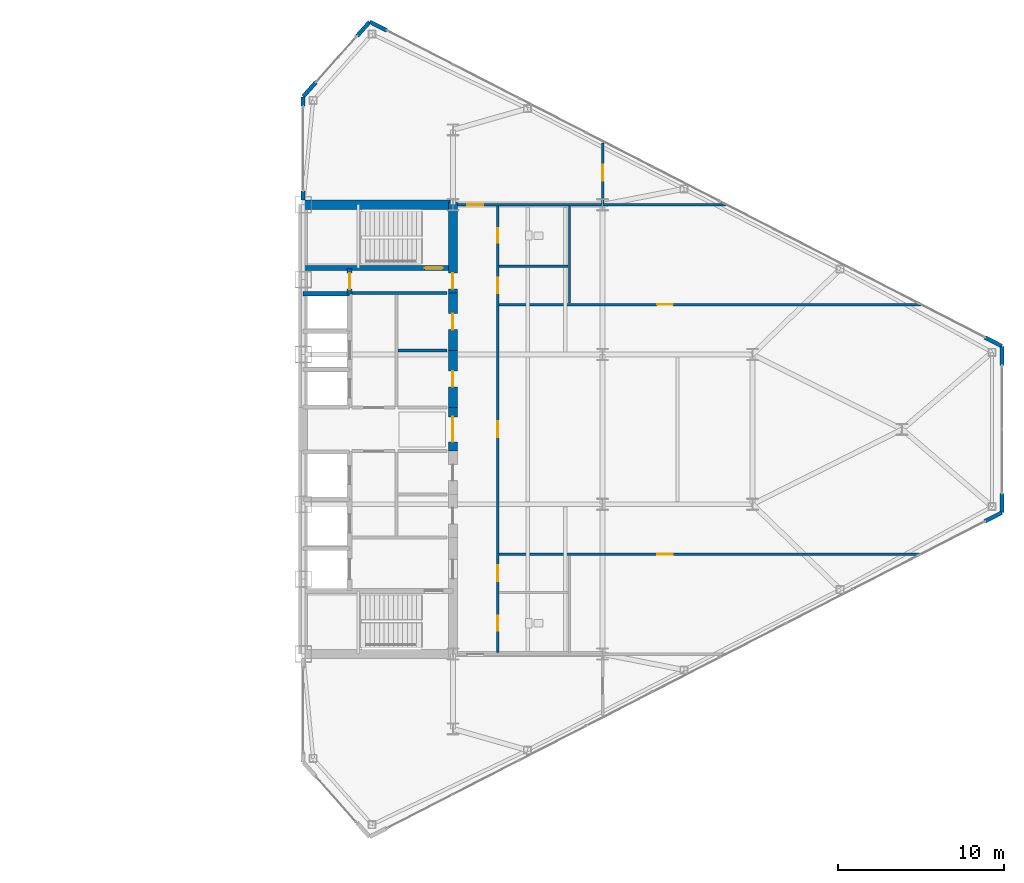
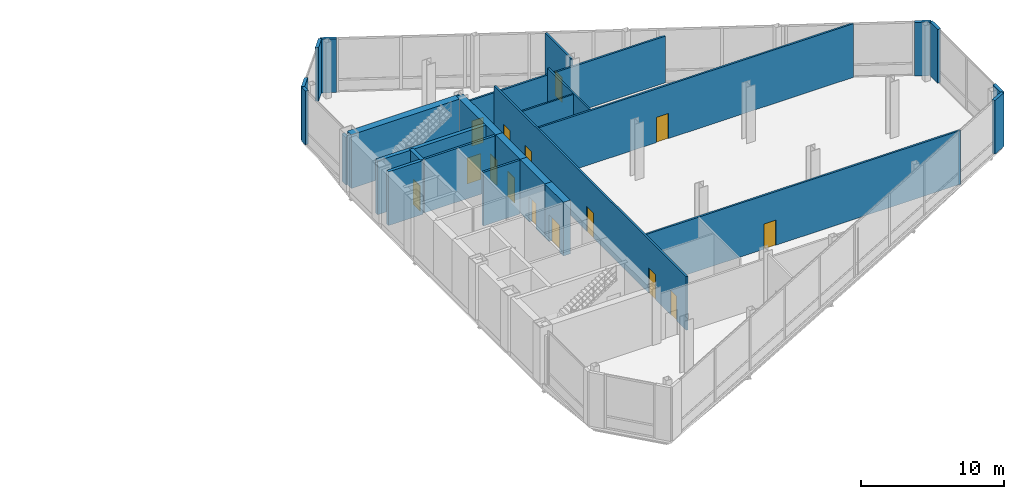
# One storey, part 19 of 22: 26 walls, 15 doors, 15 openings.
"""IFC4 building model written with IfcOpenShell, lengths in metres."""

from ifc_helpers import new_model, si_unit, direction, frame, frame_2d, origin, place, context, subcontext, project, spatial, rectangle, extrude, source, transform, mapped, material, layer, layer_set, type_object, type_shapes, element, fill, save


model = new_model("IFC4")

# Units and contexts
model_context = context("Model", 3, precision=1e-05, world=origin(), true_north=direction((0.0, 1.0)))
body_context = subcontext(model_context, "Body", "Model", "MODEL_VIEW")
ifc_project = project(units=[si_unit("LENGTHUNIT", "METRE"), si_unit("AREAUNIT", "SQUARE_METRE"), si_unit("VOLUMEUNIT", "CUBIC_METRE"), si_unit("PLANEANGLEUNIT", "RADIAN"), si_unit("MASSUNIT", "GRAM", prefix="KILO")], contexts=[model_context])

# Site, building, storey
site_placement = place(None, origin())
site = spatial("IfcSite", under=ifc_project, at=site_placement, CompositionType="ELEMENT")
building_placement = place(site_placement, origin())
building = spatial("IfcBuilding", under=site, at=building_placement, Name="Seokmaru Belvedere", CompositionType="ELEMENT")
storey_placement = place(building_placement, frame((0.0, 0.0, 135.60009765625)))
storey = spatial("IfcBuildingStorey", under=building, at=storey_placement, Name="L36", CompositionType="ELEMENT", Elevation=135.60009765625)

# Wall, opening, door
ifc_material_1 = material(Name="Fire-Rated Gypsum Shaftwall")
ifc_layer_1 = layer(ifc_material_1, 0.14990234375)
ifc_layer_set_1 = layer_set([ifc_layer_1], Name="Fire-Rated Gypsum Shaftwall")
wall_type_1 = type_object("IfcWallType", Name="Apartment Fire-Acoustic Room Partition 150", PredefinedType="PARTITIONING", material=ifc_layer_set_1)
wall_1_placement = place(storey_placement, frame((39.284912109375, -7.5, 0.0), z_axis=(0.0, 0.0, 1.0), x_axis=(1.0, 0.0, 0.0)))
wall_1 = element("IfcWall", 1, at=wall_1_placement, inside=storey, type_object=wall_type_1, Name="L36 Interior Partition 006", PredefinedType="PARTITIONING", context=body_context, shape_type="SweptSolid", body=[
    extrude(rectangle(XDim=25.35400390625, YDim=0.14990234375, at=frame_2d((12.677001953125, 0.0))), origin(), (0.0, 0.0, 1.0), 4.579833984375),
])
opening_1_placement = place(wall_1_placement, frame((9.489990234375, 0.0, 0.0)))
opening_1 = element("IfcOpeningElement", 2, at=opening_1_placement, cuts=wall_1, Name="Opening D05", PredefinedType="OPENING", context=body_context, shape_type="SweptSolid", body=[
    extrude(rectangle(XDim=0.949951171875, YDim=2.14990234375, at=frame_2d((0.47509765625, 1.074951171875))), frame((0.0, 0.0849609375, 0.0), z_axis=(0.0, -1.0, 0.0), x_axis=(1.0, 0.0, 0.0)), (0.0, 0.0, 1.0), 0.169921875),
])
ifc_material_2 = material(Name="Engineered White Oak Timber", Category="wood")
door_type_1 = type_object("IfcDoorType", Name="Apartment Interior Fire-Rated Oak Door 950x2150", OperationType="NOTDEFINED", PredefinedType="DOOR", material=ifc_material_2)
shared_shape_1 = source(origin(), body_context, "Body", "SweptSolid", [
    extrude(rectangle(XDim=0.949951171875, YDim=2.14990234375, at=frame_2d((0.47509765625, 1.074951171875))), frame((0.0, 0.02490234375, 0.0), z_axis=(0.0, -1.0, 0.0), x_axis=(1.0, 0.0, 0.0)), (0.0, 0.0, 1.0), 0.050048828125),
])
type_shapes(door_type_1, [shared_shape_1])
door_1_placement = place(opening_1_placement, origin())
door_1 = element("IfcDoor", 3, at=door_1_placement, inside=storey, type_object=door_type_1, Name="L36 Interior Door 021", OperationType="SINGLE_SWING_RIGHT", OverallHeight=2.14990234375, OverallWidth=0.949951171875, PredefinedType="DOOR", context=body_context, shape_type="MappedRepresentation", body=[
    mapped(shared_shape_1, transform((0.0, 0.0, 0.0), scale=1.0)),
])
fill(opening_1, door_1)

wall_2_placement = place(storey_placement, frame((39.284912109375, 7.5, 0.0), z_axis=(0.0, 0.0, 1.0), x_axis=(1.0, 0.0, 0.0)))
wall_2 = element("IfcWall", 4, at=wall_2_placement, inside=storey, type_object=wall_type_1, Name="L36 Interior Partition 008", PredefinedType="PARTITIONING", context=body_context, shape_type="SweptSolid", body=[
    extrude(rectangle(XDim=25.35400390625, YDim=0.14990234375, at=frame_2d((12.677001953125, 0.0))), origin(), (0.0, 0.0, 1.0), 4.579833984375),
])
opening_2_placement = place(wall_2_placement, frame((9.489990234375, 0.0, 0.0)))
opening_2 = element("IfcOpeningElement", 5, at=opening_2_placement, cuts=wall_2, Name="Opening D05", PredefinedType="OPENING", context=body_context, shape_type="SweptSolid", body=[
    extrude(rectangle(XDim=0.949951171875, YDim=2.14990234375, at=frame_2d((0.47509765625, 1.074951171875))), frame((0.0, 0.0849609375, 0.0), z_axis=(0.0, -1.0, 0.0), x_axis=(1.0, 0.0, 0.0)), (0.0, 0.0, 1.0), 0.169921875),
])
door_2_placement = place(opening_2_placement, origin())
door_2 = element("IfcDoor", 6, at=door_2_placement, inside=storey, type_object=door_type_1, Name="L36 Interior Door 022", OperationType="SINGLE_SWING_LEFT", OverallHeight=2.14990234375, OverallWidth=0.949951171875, PredefinedType="DOOR", context=body_context, shape_type="MappedRepresentation", body=[
    mapped(shared_shape_1, transform((0.0, 0.0, 0.0), scale=1.0)),
])
fill(opening_2, door_2)

wall_3_placement = place(storey_placement, frame((36.780029296875, 13.5, 0.0), z_axis=(0.0, 0.0, 1.0), x_axis=(1.0, 0.0, 0.0)))
wall_3 = element("IfcWall", 7, at=wall_3_placement, inside=storey, type_object=wall_type_1, Name="L36 Interior Partition 012", PredefinedType="PARTITIONING", context=body_context, shape_type="SweptSolid", body=[
    extrude(rectangle(XDim=16.1669921875, YDim=0.14990234375, at=frame_2d((8.08349609375, 0.0))), origin(), (0.0, 0.0, 1.0), 3.97998046875),
])
opening_3_placement = place(wall_3_placement, frame((0.594970703125, 0.0, 0.0)))
opening_3 = element("IfcOpeningElement", 8, at=opening_3_placement, cuts=wall_3, Name="Opening D05", PredefinedType="OPENING", context=body_context, shape_type="SweptSolid", body=[
    extrude(rectangle(XDim=0.949951171875, YDim=2.14990234375, at=frame_2d((0.47509765625, 1.074951171875))), frame((0.0, 0.0849609375, 0.0), z_axis=(0.0, -1.0, 0.0), x_axis=(1.0, 0.0, 0.0)), (0.0, 0.0, 1.0), 0.169921875),
])
door_3_placement = place(opening_3_placement, origin())
door_3 = element("IfcDoor", 9, at=door_3_placement, inside=storey, type_object=door_type_1, Name="L36 Interior Door 014", OperationType="SINGLE_SWING_RIGHT", OverallHeight=2.14990234375, OverallWidth=0.949951171875, PredefinedType="DOOR", context=body_context, shape_type="MappedRepresentation", body=[
    mapped(shared_shape_1, transform((0.0, 0.0, 0.0), scale=1.0)),
])
fill(opening_3, door_3)

# Wall, openings, doors
wall_4_placement = place(storey_placement, frame((39.199951171875, -13.4150390625, 0.0), z_axis=(0.0, 0.0, 1.0), x_axis=(0.0, 1.0, 0.0)))
wall_4 = element("IfcWall", 10, at=wall_4_placement, inside=storey, type_object=wall_type_1, Name="L36 Interior Partition 018", PredefinedType="PARTITIONING", context=body_context, shape_type="SweptSolid", body=[
    extrude(rectangle(XDim=26.830078125, YDim=0.14990234375, at=frame_2d((13.4150390625, 0.0))), origin(), (0.0, 0.0, 1.0), 4.579833984375),
])
opening_4_placement = place(wall_4_placement, frame((12.93994140625, 0.0, 0.0)))
opening_4 = element("IfcOpeningElement", 11, at=opening_4_placement, cuts=wall_4, Name="Opening D05", PredefinedType="OPENING", context=body_context, shape_type="SweptSolid", body=[
    extrude(rectangle(XDim=0.949951171875, YDim=2.14990234375, at=frame_2d((0.47509765625, 1.074951171875))), frame((0.0, 0.0849609375, 0.0), z_axis=(0.0, -1.0, 0.0), x_axis=(1.0, 0.0, 0.0)), (0.0, 0.0, 1.0), 0.169921875),
])
opening_5_placement = place(wall_4_placement, frame((1.324951171875, 0.0, 0.0)))
opening_5 = element("IfcOpeningElement", 12, at=opening_5_placement, cuts=wall_4, Name="Opening D06", PredefinedType="OPENING", context=body_context, shape_type="SweptSolid", body=[
    extrude(rectangle(XDim=0.8798828125, YDim=2.10009765625, at=frame_2d((0.43994140625, 1.050048828125))), frame((0.0, 0.0849609375, 0.0), z_axis=(0.0, -1.0, 0.0), x_axis=(1.0, 0.0, 0.0)), (0.0, 0.0, 1.0), 0.169921875),
])
opening_6_placement = place(wall_4_placement, frame((4.2900390625, 0.0, 0.0)))
opening_6 = element("IfcOpeningElement", 13, at=opening_6_placement, cuts=wall_4, Name="Opening D05", PredefinedType="OPENING", context=body_context, shape_type="SweptSolid", body=[
    extrude(rectangle(XDim=0.949951171875, YDim=2.14990234375, at=frame_2d((0.47509765625, 1.074951171875))), frame((0.0, 0.0849609375, 0.0), z_axis=(0.0, -1.0, 0.0), x_axis=(1.0, 0.0, 0.0)), (0.0, 0.0, 1.0), 0.169921875),
])
opening_7_placement = place(wall_4_placement, frame((21.590087890625, 0.0, 0.0)))
opening_7 = element("IfcOpeningElement", 14, at=opening_7_placement, cuts=wall_4, Name="Opening D05", PredefinedType="OPENING", context=body_context, shape_type="SweptSolid", body=[
    extrude(rectangle(XDim=0.949951171875, YDim=2.14990234375, at=frame_2d((0.47509765625, 1.074951171875))), frame((0.0, 0.0849609375, 0.0), z_axis=(0.0, -1.0, 0.0), x_axis=(1.0, 0.0, 0.0)), (0.0, 0.0, 1.0), 0.169921875),
])
opening_8_placement = place(wall_4_placement, frame((24.625, 0.0, 0.0)))
opening_8 = element("IfcOpeningElement", 15, at=opening_8_placement, cuts=wall_4, Name="Opening D06", PredefinedType="OPENING", context=body_context, shape_type="SweptSolid", body=[
    extrude(rectangle(XDim=0.8798828125, YDim=2.10009765625, at=frame_2d((0.43994140625, 1.050048828125))), frame((0.0, 0.0849609375, 0.0), z_axis=(0.0, -1.0, 0.0), x_axis=(1.0, 0.0, 0.0)), (0.0, 0.0, 1.0), 0.169921875),
])
door_type_2 = type_object("IfcDoorType", Name="Bathroom and Restroom Fire-Rated Door 880x2100", OperationType="NOTDEFINED", PredefinedType="DOOR", material=ifc_material_2)
shared_shape_2 = source(origin(), body_context, "Body", "SweptSolid", [
    extrude(rectangle(XDim=0.8798828125, YDim=2.10009765625, at=frame_2d((0.43994140625, 1.050048828125))), frame((0.0, 0.02490234375, 0.0), z_axis=(0.0, -1.0, 0.0), x_axis=(1.0, 0.0, 0.0)), (0.0, 0.0, 1.0), 0.050048828125),
])
type_shapes(door_type_2, [shared_shape_2])
door_4_placement = place(opening_5_placement, origin())
door_4 = element("IfcDoor", 16, at=door_4_placement, inside=storey, type_object=door_type_2, Name="L36 Interior Door 017", OperationType="SINGLE_SWING_RIGHT", OverallHeight=2.10009765625, OverallWidth=0.8798828125, PredefinedType="DOOR", context=body_context, shape_type="MappedRepresentation", body=[
    mapped(shared_shape_2, transform((0.0, 0.0, 0.0), scale=1.0)),
])
fill(opening_5, door_4)
door_5_placement = place(opening_8_placement, origin())
door_5 = element("IfcDoor", 17, at=door_5_placement, inside=storey, type_object=door_type_2, Name="L36 Interior Door 020", OperationType="SINGLE_SWING_LEFT", OverallHeight=2.10009765625, OverallWidth=0.8798828125, PredefinedType="DOOR", context=body_context, shape_type="MappedRepresentation", body=[
    mapped(shared_shape_2, transform((0.0, 0.0, 0.0), scale=1.0)),
])
fill(opening_8, door_5)
door_6_placement = place(opening_4_placement, origin())
door_6 = element("IfcDoor", 18, at=door_6_placement, inside=storey, type_object=door_type_1, Name="L36 Interior Door 012", OperationType="SINGLE_SWING_RIGHT", OverallHeight=2.14990234375, OverallWidth=0.949951171875, PredefinedType="DOOR", context=body_context, shape_type="MappedRepresentation", body=[
    mapped(shared_shape_1, transform((0.0, 0.0, 0.0), scale=1.0)),
])
fill(opening_4, door_6)
door_7_placement = place(opening_6_placement, origin())
door_7 = element("IfcDoor", 19, at=door_7_placement, inside=storey, type_object=door_type_1, Name="L36 Interior Door 018", OperationType="SINGLE_SWING_LEFT", OverallHeight=2.14990234375, OverallWidth=0.949951171875, PredefinedType="DOOR", context=body_context, shape_type="MappedRepresentation", body=[
    mapped(shared_shape_1, transform((0.0, 0.0, 0.0), scale=1.0)),
])
fill(opening_6, door_7)
door_8_placement = place(opening_7_placement, origin())
door_8 = element("IfcDoor", 20, at=door_8_placement, inside=storey, type_object=door_type_1, Name="L36 Interior Door 019", OperationType="SINGLE_SWING_RIGHT", OverallHeight=2.14990234375, OverallWidth=0.949951171875, PredefinedType="DOOR", context=body_context, shape_type="MappedRepresentation", body=[
    mapped(shared_shape_1, transform((0.0, 0.0, 0.0), scale=1.0)),
])
fill(opening_7, door_8)

# Wall, opening, door
wall_5_placement = place(storey_placement, frame((45.5, 13.5849609375, 0.0), z_axis=(0.0, 0.0, 1.0), x_axis=(0.0, 1.0, 0.0)))
wall_5 = element("IfcWall", 21, at=wall_5_placement, inside=storey, type_object=wall_type_1, Name="L36 Interior Partition 022", PredefinedType="PARTITIONING", context=body_context, shape_type="SweptSolid", body=[
    extrude(rectangle(XDim=3.611083984375, YDim=0.14990234375, at=frame_2d((1.8056640625, 0.0))), origin(), (0.0, 0.0, 1.0), 4.579833984375),
])
opening_9_placement = place(wall_5_placement, frame((1.36279296875, 0.0, 0.0)))
opening_9 = element("IfcOpeningElement", 22, at=opening_9_placement, cuts=wall_5, Name="Opening D05", PredefinedType="OPENING", context=body_context, shape_type="SweptSolid", body=[
    extrude(rectangle(XDim=0.949951171875, YDim=2.14990234375, at=frame_2d((0.47509765625, 1.074951171875))), frame((0.0, 0.0849609375, 0.0), z_axis=(0.0, -1.0, 0.0), x_axis=(1.0, 0.0, 0.0)), (0.0, 0.0, 1.0), 0.169921875),
])
door_9_placement = place(opening_9_placement, origin())
door_9 = element("IfcDoor", 23, at=door_9_placement, inside=storey, type_object=door_type_1, Name="L36 Interior Door 016", OperationType="SINGLE_SWING_LEFT", OverallHeight=2.14990234375, OverallWidth=0.949951171875, PredefinedType="DOOR", context=body_context, shape_type="MappedRepresentation", body=[
    mapped(shared_shape_1, transform((0.0, 0.0, 0.0), scale=1.0)),
])
fill(opening_9, door_9)

# Walls
ifc_layer_2 = layer(ifc_material_1, 0.179931640625)
ifc_layer_set_2 = layer_set([ifc_layer_2], Name="Fire-Rated Gypsum Shaftwall")
wall_type_2 = type_object("IfcWallType", Name="Core Service Fire Partition 180", PredefinedType="PARTITIONING", material=ifc_layer_set_2)
wall_6_placement = place(storey_placement, frame((30.449951171875, 8.199951171875, 0.0), z_axis=(0.0, 0.0, 1.0), x_axis=(1.0, 0.0, 0.0)))
element("IfcWall", 24, at=wall_6_placement, inside=storey, type_object=wall_type_2, Name="L36 East Smokeproof Vestibule Partition", PredefinedType="PARTITIONING", context=body_context, shape_type="SweptSolid", body=[
    extrude(rectangle(XDim=5.699951171875, YDim=0.179931640625, at=frame_2d((2.85009765625, 0.0))), origin(), (0.0, 0.0, 1.0), 4.579833984375),
])
wall_7_placement = place(storey_placement, frame((33.199951171875, 4.75, 0.0), z_axis=(0.0, 0.0, 1.0), x_axis=(1.0, 0.0, 0.0)))
element("IfcWall", 25, at=wall_7_placement, inside=storey, type_object=wall_type_2, Name="L36 East Core Service Partition 2", PredefinedType="PARTITIONING", context=body_context, shape_type="SweptSolid", body=[
    extrude(rectangle(XDim=2.949951171875, YDim=0.179931640625, at=frame_2d((1.47509765625, 0.0))), origin(), (0.0, 0.0, 1.0), 4.579833984375),
])
ifc_material_3 = material(Name="Concrete C50 (50 MPa)", Category="concrete")
ifc_layer_3 = layer(ifc_material_3, 0.25)
ifc_layer_set_3 = layer_set([ifc_layer_3], Name="Concrete C50 (50 MPa)")
wall_type_3 = type_object("IfcWallType", Name="Hoistway Transverse Concrete Divider Wall 250", PredefinedType="SHEAR", material=ifc_layer_set_3)
wall_8_placement = place(storey_placement, frame((27.5, 8.14990234375, 0.0), z_axis=(0.0, 0.0, 1.0), x_axis=(1.0, 0.0, 0.0)))
element("IfcWall", 26, at=wall_8_placement, inside=storey, type_object=wall_type_3, Name="L36 East Hoistway Divider Core Wall 7", PredefinedType="SHEAR", context=body_context, shape_type="SweptSolid", body=[
    extrude(rectangle(XDim=2.800048828125, YDim=0.25, at=frame_2d((1.39990234375, 0.0))), origin(), (0.0, 0.0, 1.0), 4.579833984375),
])

# Wall, opening, door
ifc_layer_4 = layer(ifc_material_3, 0.300048828125)
ifc_layer_set_4 = layer_set([ifc_layer_4], Name="Concrete C50 (50 MPa)")
wall_type_4 = type_object("IfcWallType", Name="Internal Core Stair and Hoistway Wall 300", PredefinedType="SHEAR", material=ifc_layer_set_4)
wall_9_placement = place(storey_placement, frame((27.5, 9.699951171875, 0.0), z_axis=(0.0, 0.0, 1.0), x_axis=(1.0, 0.0, 0.0)))
wall_9 = element("IfcWall", 27, at=wall_9_placement, inside=storey, type_object=wall_type_4, Name="L36 East Stair ST-2 Enclosure Wall", PredefinedType="SHEAR", context=body_context, shape_type="SweptSolid", body=[
    extrude(rectangle(XDim=9.0, YDim=0.300048828125, at=frame_2d((4.5, 0.0))), origin(), (0.0, 0.0, 1.0), 4.579833984375),
])
opening_10_placement = place(wall_9_placement, frame((7.300048828125, 0.0, 0.0)))
opening_10 = element("IfcOpeningElement", 28, at=opening_10_placement, cuts=wall_9, Name="Opening D01", PredefinedType="OPENING", context=body_context, shape_type="SweptSolid", body=[
    extrude(rectangle(XDim=1.10009765625, YDim=2.199951171875, at=frame_2d((0.550048828125, 1.10009765625))), frame((0.0, 0.16015625, 0.0), z_axis=(0.0, -1.0, 0.0), x_axis=(1.0, 0.0, 0.0)), (0.0, 0.0, 1.0), 0.320068359375),
])
ifc_material_4 = material(Name="Fire-Rated Steel Leaf", Category="steel")
door_type_3 = type_object("IfcDoorType", Name="Special Escape Stair Smokeproof Fire Door 1100x2200", OperationType="NOTDEFINED", PredefinedType="DOOR", material=ifc_material_4)
shared_shape_3 = source(origin(), body_context, "Body", "SweptSolid", [
    extrude(rectangle(XDim=1.10009765625, YDim=2.199951171875, at=frame_2d((0.550048828125, 1.10009765625))), frame((0.0, 0.02490234375, 0.0), z_axis=(0.0, -1.0, 0.0), x_axis=(1.0, 0.0, 0.0)), (0.0, 0.0, 1.0), 0.050048828125),
])
type_shapes(door_type_3, [shared_shape_3])
door_10_placement = place(opening_10_placement, origin())
door_10 = element("IfcDoor", 29, at=door_10_placement, inside=storey, type_object=door_type_3, Name="L36 East Special Escape Stair ST-2 Door", OperationType="SINGLE_SWING_LEFT", OverallHeight=2.199951171875, OverallWidth=1.10009765625, PredefinedType="DOOR", context=body_context, shape_type="MappedRepresentation", body=[
    mapped(shared_shape_3, transform((0.0, 0.0, 0.0), scale=1.0)),
])
fill(opening_10, door_10)

wall_10_placement = place(storey_placement, frame((30.300048828125, 8.14990234375, 0.0), z_axis=(0.0, 0.0, 1.0), x_axis=(0.0, 1.0, 0.0)))
wall_10 = element("IfcWall", 30, at=wall_10_placement, inside=storey, type_object=wall_type_4, Name="L36 East Electrical Riser Front Wall", PredefinedType="SHEAR", context=body_context, shape_type="SweptSolid", body=[
    extrude(rectangle(XDim=1.530029296875, YDim=0.300048828125, at=frame_2d((0.76513671875, 0.0))), origin(), (0.0, 0.0, 1.0), 4.579833984375),
])
opening_11_placement = place(wall_10_placement, frame((0.284912109375, 0.0, 0.0)))
opening_11 = element("IfcOpeningElement", 31, at=opening_11_placement, cuts=wall_10, Name="Opening D04", PredefinedType="OPENING", context=body_context, shape_type="SweptSolid", body=[
    extrude(rectangle(XDim=0.949951171875, YDim=2.14990234375, at=frame_2d((0.47509765625, 1.074951171875))), frame((0.0, 0.16015625, 0.0), z_axis=(0.0, -1.0, 0.0), x_axis=(1.0, 0.0, 0.0)), (0.0, 0.0, 1.0), 0.320068359375),
])
door_type_4 = type_object("IfcDoorType", Name="Core Service Room Fire Door 950x2150", OperationType="NOTDEFINED", PredefinedType="DOOR", material=ifc_material_4)
shared_shape_4 = source(origin(), body_context, "Body", "SweptSolid", [
    extrude(rectangle(XDim=0.949951171875, YDim=2.14990234375, at=frame_2d((0.47509765625, 1.074951171875))), frame((0.0, 0.02490234375, 0.0), z_axis=(0.0, -1.0, 0.0), x_axis=(1.0, 0.0, 0.0)), (0.0, 0.0, 1.0), 0.050048828125),
])
type_shapes(door_type_4, [shared_shape_4])
door_11_placement = place(opening_11_placement, origin())
door_11 = element("IfcDoor", 32, at=door_11_placement, inside=storey, type_object=door_type_4, Name="L36 East Electrical Riser Access Door", OperationType="SINGLE_SWING_RIGHT", OverallHeight=2.14990234375, OverallWidth=0.949951171875, PredefinedType="DOOR", context=body_context, shape_type="MappedRepresentation", body=[
    mapped(shared_shape_4, transform((0.0, 0.0, 0.0), scale=1.0)),
])
fill(opening_11, door_11)

# Wall
ifc_layer_5 = layer(ifc_material_3, 0.550048828125)
ifc_layer_set_5 = layer_set([ifc_layer_5], Name="Concrete C50 (50 MPa)")
wall_type_5 = type_object("IfcWallType", Name="Mid-High Reinforced Concrete Core Wall 550", PredefinedType="SHEAR", material=ifc_layer_set_5)
wall_11_placement = place(storey_placement, frame((27.5, 13.5, 0.0), z_axis=(0.0, 0.0, 1.0), x_axis=(1.0, 0.0, 0.0)))
element("IfcWall", 33, at=wall_11_placement, inside=storey, type_object=wall_type_5, Name="L36 East North Core Wall", PredefinedType="SHEAR", context=body_context, shape_type="SweptSolid", body=[
    extrude(rectangle(XDim=9.0, YDim=0.550048828125, at=frame_2d((4.5, 0.0))), origin(), (0.0, 0.0, 1.0), 4.579833984375),
])

# Wall, opening, door
wall_12_placement = place(storey_placement, frame((36.5, -1.300048828125, 0.0), z_axis=(0.0, 0.0, 1.0), x_axis=(0.0, 1.0, 0.0)))
wall_12 = element("IfcWall", 34, at=wall_12_placement, inside=storey, type_object=wall_type_5, Name="L36 East West Core Wall FOY", PredefinedType="SHEAR", context=body_context, shape_type="SweptSolid", body=[
    extrude(rectangle(XDim=2.60009765625, YDim=0.550048828125, at=frame_2d((1.300048828125, 0.0))), origin(), (0.0, 0.0, 1.0), 4.579833984375),
])
opening_12_placement = place(wall_12_placement, frame((0.550048828125, 0.0, 0.0)))
opening_12 = element("IfcOpeningElement", 35, at=opening_12_placement, cuts=wall_12, Name="Opening D08", PredefinedType="OPENING", context=body_context, shape_type="SweptSolid", body=[
    extrude(rectangle(XDim=1.5, YDim=2.300048828125, at=frame_2d((0.75, 1.14990234375))), frame((0.0, 0.28515625, 0.0), z_axis=(0.0, -1.0, 0.0), x_axis=(1.0, 0.0, 0.0)), (0.0, 0.0, 1.0), 0.570068359375),
])
door_type_5 = type_object("IfcDoorType", Name="Cross-Corridor Compartment Double Fire Door 1500x2300", OperationType="DOUBLE_SWING_LEFT", PredefinedType="DOOR", material=ifc_material_4)
shared_shape_5 = source(origin(), body_context, "Body", "SweptSolid", [
    extrude(rectangle(XDim=1.5, YDim=2.300048828125, at=frame_2d((0.75, 1.14990234375))), frame((0.0, 0.02490234375, 0.0), z_axis=(0.0, -1.0, 0.0), x_axis=(1.0, 0.0, 0.0)), (0.0, 0.0, 1.0), 0.050048828125),
])
type_shapes(door_type_5, [shared_shape_5])
door_12_placement = place(opening_12_placement, origin())
door_12 = element("IfcDoor", 36, at=door_12_placement, inside=storey, type_object=door_type_5, Name="L36 East Core Foyer Compartment Door", OperationType="DOUBLE_SWING_LEFT", OverallHeight=2.300048828125, OverallWidth=1.5, PredefinedType="DOOR", context=body_context, shape_type="MappedRepresentation", body=[
    mapped(shared_shape_5, transform((0.0, 0.0, 0.0), scale=1.0)),
])
fill(opening_12, door_12)

wall_13_placement = place(storey_placement, frame((36.5, 8.199951171875, 0.0), z_axis=(0.0, 0.0, 1.0), x_axis=(0.0, 1.0, 0.0)))
wall_13 = element("IfcWall", 37, at=wall_13_placement, inside=storey, type_object=wall_type_5, Name="L36 East West Core Wall VST", PredefinedType="SHEAR", context=body_context, shape_type="SweptSolid", body=[
    extrude(rectangle(XDim=5.449951171875, YDim=0.550048828125, at=frame_2d((2.72509765625, 0.0))), origin(), (0.0, 0.0, 1.0), 4.579833984375),
])
opening_13_placement = place(wall_13_placement, frame((0.2451171875, 0.0, 0.0)))
opening_13 = element("IfcOpeningElement", 38, at=opening_13_placement, cuts=wall_13, Name="Opening D04", PredefinedType="OPENING", context=body_context, shape_type="SweptSolid", body=[
    extrude(rectangle(XDim=0.949951171875, YDim=2.14990234375, at=frame_2d((0.47509765625, 1.074951171875))), frame((0.0, 0.28515625, 0.0), z_axis=(0.0, -1.0, 0.0), x_axis=(1.0, 0.0, 0.0)), (0.0, 0.0, 1.0), 0.570068359375),
])
door_13_placement = place(opening_13_placement, origin())
door_13 = element("IfcDoor", 39, at=door_13_placement, inside=storey, type_object=door_type_4, Name="L36 East Smokeproof Vestibule Door", OperationType="SINGLE_SWING_LEFT", OverallHeight=2.14990234375, OverallWidth=0.949951171875, PredefinedType="DOOR", context=body_context, shape_type="MappedRepresentation", body=[
    mapped(shared_shape_4, transform((0.0, 0.0, 0.0), scale=1.0)),
])
fill(opening_13, door_13)

wall_14_placement = place(storey_placement, frame((36.5, 1.300048828125, 0.0), z_axis=(0.0, 0.0, 1.0), x_axis=(0.0, 1.0, 0.0)))
wall_14 = element("IfcWall", 40, at=wall_14_placement, inside=storey, type_object=wall_type_5, Name="L36 East West Core Wall CS3", PredefinedType="SHEAR", context=body_context, shape_type="SweptSolid", body=[
    extrude(rectangle(XDim=3.449951171875, YDim=0.550048828125, at=frame_2d((1.72509765625, 0.0))), origin(), (0.0, 0.0, 1.0), 4.579833984375),
])
opening_14_placement = place(wall_14_placement, frame((1.25, 0.0, 0.0)))
opening_14 = element("IfcOpeningElement", 41, at=opening_14_placement, cuts=wall_14, Name="Opening D04", PredefinedType="OPENING", context=body_context, shape_type="SweptSolid", body=[
    extrude(rectangle(XDim=0.949951171875, YDim=2.14990234375, at=frame_2d((0.47509765625, 1.074951171875))), frame((0.0, 0.28515625, 0.0), z_axis=(0.0, -1.0, 0.0), x_axis=(1.0, 0.0, 0.0)), (0.0, 0.0, 1.0), 0.570068359375),
])
door_14_placement = place(opening_14_placement, origin())
door_14 = element("IfcDoor", 42, at=door_14_placement, inside=storey, type_object=door_type_4, Name="L36 East Core Service Room Door 3", OperationType="SINGLE_SWING_RIGHT", OverallHeight=2.14990234375, OverallWidth=0.949951171875, PredefinedType="DOOR", context=body_context, shape_type="MappedRepresentation", body=[
    mapped(shared_shape_4, transform((0.0, 0.0, 0.0), scale=1.0)),
])
fill(opening_14, door_14)

wall_15_placement = place(storey_placement, frame((36.5, 4.75, 0.0), z_axis=(0.0, 0.0, 1.0), x_axis=(0.0, 1.0, 0.0)))
wall_15 = element("IfcWall", 43, at=wall_15_placement, inside=storey, type_object=wall_type_5, Name="L36 East West Core Wall CS4", PredefinedType="SHEAR", context=body_context, shape_type="SweptSolid", body=[
    extrude(rectangle(XDim=3.449951171875, YDim=0.550048828125, at=frame_2d((1.72509765625, 0.0))), origin(), (0.0, 0.0, 1.0), 4.579833984375),
])
opening_15_placement = place(wall_15_placement, frame((1.25, 0.0, 0.0)))
opening_15 = element("IfcOpeningElement", 44, at=opening_15_placement, cuts=wall_15, Name="Opening D04", PredefinedType="OPENING", context=body_context, shape_type="SweptSolid", body=[
    extrude(rectangle(XDim=0.949951171875, YDim=2.14990234375, at=frame_2d((0.47509765625, 1.074951171875))), frame((0.0, 0.28515625, 0.0), z_axis=(0.0, -1.0, 0.0), x_axis=(1.0, 0.0, 0.0)), (0.0, 0.0, 1.0), 0.570068359375),
])
door_15_placement = place(opening_15_placement, origin())
door_15 = element("IfcDoor", 45, at=door_15_placement, inside=storey, type_object=door_type_4, Name="L36 East Core Service Room Door 4", OperationType="SINGLE_SWING_LEFT", OverallHeight=2.14990234375, OverallWidth=0.949951171875, PredefinedType="DOOR", context=body_context, shape_type="MappedRepresentation", body=[
    mapped(shared_shape_4, transform((0.0, 0.0, 0.0), scale=1.0)),
])
fill(opening_15, door_15)

# Walls
ifc_layer_6 = layer(ifc_material_1, 0.1298828125)
ifc_layer_set_6 = layer_set([ifc_layer_6], Name="Fire-Rated Gypsum Shaftwall")
wall_type_6 = type_object("IfcWallType", Name="Moisture-Resistant Fire-Rated Bathroom Partition 130", PredefinedType="PARTITIONING", material=ifc_layer_set_6)
wall_16_placement = place(storey_placement, frame((39.284912109375, 9.800048828125, 0.0), z_axis=(0.0, 0.0, 1.0), x_axis=(1.0, 0.0, 0.0)))
element("IfcWall", 46, at=wall_16_placement, inside=storey, type_object=wall_type_6, Name="L36 Interior Partition 010", PredefinedType="PARTITIONING", context=body_context, shape_type="SweptSolid", body=[
    extrude(rectangle(XDim=4.130126953125, YDim=0.1298828125, at=frame_2d((2.06494140625, 0.0))), origin(), (0.0, 0.0, 1.0), 4.579833984375),
])
wall_17_placement = place(storey_placement, frame((43.5, 7.5849609375, 0.0), z_axis=(0.0, 0.0, 1.0), x_axis=(0.0, 1.0, 0.0)))
element("IfcWall", 47, at=wall_17_placement, inside=storey, type_object=wall_type_6, Name="L36 Interior Partition 020", PredefinedType="PARTITIONING", context=body_context, shape_type="SweptSolid", body=[
    extrude(rectangle(XDim=5.830078125, YDim=0.1298828125, at=frame_2d((2.9150390625, 0.0))), origin(), (0.0, 0.0, 1.0), 4.579833984375),
])
ifc_material_5 = material(Name="Anodised Bronze Aluminium", Category="aluminium")
ifc_layer_7 = layer(ifc_material_5, 0.239990234375)
ifc_layer_set_7 = layer_set([ifc_layer_7], Name="Anodised Bronze Aluminium")
wall_type_7 = type_object("IfcWallType", Name="Tower Corner Spandrel Closure Wall 240", PredefinedType="SOLIDWALL", material=ifc_layer_set_7)
wall_18_placement = place(storey_placement, frame((68.476806640625, -5.52490234375, 0.0), z_axis=(0.0, 0.0, 1.0), x_axis=(0.889797395748, 0.456355776255, 0.0)))
element("IfcWall", 48, at=wall_18_placement, inside=storey, type_object=wall_type_7, Name="L36 E Corner Closure Pier 1B", PredefinedType="SOLIDWALL", context=body_context, shape_type="SweptSolid", body=[
    extrude(rectangle(XDim=1.14013671875, YDim=0.239990234375, at=frame_2d((0.570068359375, 0.0))), origin(), (0.0, 0.0, 1.0), 4.579833984375),
])
for number, where, z_axis, x_axis, name in (
    (49, (69.5, -4.989990234375, 0.0), (0.0, 0.0, 1.0), (0.0, 1.0, 0.0), "L36 E Corner Closure Pier 2A"),
    (50, (69.5, 3.85009765625, 0.0), (0.0, 0.0, 1.0), (0.0, 1.0, 0.0), "L36 E Corner Closure Pier 2B"),
):
    element("IfcWall", number, at=place(storey_placement, frame(where, z_axis=z_axis, x_axis=x_axis)), inside=storey, type_object=wall_type_7, Name=name, PredefinedType="SOLIDWALL", context=body_context, shape_type="SweptSolid", body=[
        extrude(rectangle(XDim=1.139892578125, YDim=0.239990234375, at=frame_2d((0.56982421875, 0.0))), origin(), (0.0, 0.0, 1.0), 4.579833984375),
    ])
for number, where, z_axis, x_axis, name in (
    (51, (69.4912109375, 5.004638671875, 0.0), (0.0, 0.0, 1.0), (-0.889797395748, 0.456355776255, 0.0), "L36 E Corner Closure Pier 3A"),
    (52, (32.523193359375, 23.97509765625, 0.0), (0.0, 0.0, 1.0), (-0.889797395748, 0.456355776255, 0.0), "L36 E Corner Closure Pier 3B"),
):
    element("IfcWall", number, at=place(storey_placement, frame(where, z_axis=z_axis, x_axis=x_axis)), inside=storey, type_object=wall_type_7, Name=name, PredefinedType="SOLIDWALL", context=body_context, shape_type="SweptSolid", body=[
        extrude(rectangle(XDim=1.14013671875, YDim=0.239990234375, at=frame_2d((0.570068359375, 0.0))), origin(), (0.0, 0.0, 1.0), 4.579833984375),
    ])
for number, where, z_axis, x_axis, name in (
    (53, (31.493408203125, 24.492431640625, 0.0), (0.0, 0.0, 1.0), (-0.664337252513, -0.747432950119, 0.0), "L36 E Corner Closure Pier 4A"),
    (54, (28.263916015625, 20.859619140625, 0.0), (0.0, 0.0, 1.0), (-0.664337252513, -0.747432950119, 0.0), "L36 E Corner Closure Pier 4B"),
):
    element("IfcWall", number, at=place(storey_placement, frame(where, z_axis=z_axis, x_axis=x_axis)), inside=storey, type_object=wall_type_7, Name=name, PredefinedType="SOLIDWALL", context=body_context, shape_type="SweptSolid", body=[
        extrude(rectangle(XDim=1.139892578125, YDim=0.239990234375, at=frame_2d((0.56982421875, 0.0))), origin(), (0.0, 0.0, 1.0), 4.579833984375),
    ])
wall_19_placement = place(storey_placement, frame((27.5, 13.780029296875, 0.0), z_axis=(0.0, 0.0, 1.0), x_axis=(0.0, 1.0, 0.0)))
element("IfcWall", 55, at=wall_19_placement, inside=storey, type_object=wall_type_7, Name="L36 E Spine Closure Pier 2A", PredefinedType="SOLIDWALL", context=body_context, shape_type="SweptSolid", body=[
    extrude(rectangle(XDim=0.550048828125, YDim=0.239990234375, at=frame_2d((0.27490234375, 0.0))), origin(), (0.0, 0.0, 1.0), 4.079833984375),
])
wall_20_placement = place(storey_placement, frame((27.5, 19.429931640625, 0.0), z_axis=(0.0, 0.0, 1.0), x_axis=(0.0, 1.0, 0.0)))
element("IfcWall", 56, at=wall_20_placement, inside=storey, type_object=wall_type_7, Name="L36 E Spine Closure Pier 2B", PredefinedType="SOLIDWALL", context=body_context, shape_type="SweptSolid", body=[
    extrude(rectangle(XDim=0.550048828125, YDim=0.239990234375, at=frame_2d((0.27490234375, 0.0))), origin(), (0.0, 0.0, 1.0), 4.579833984375),
])

save(model, "model.ifc")
